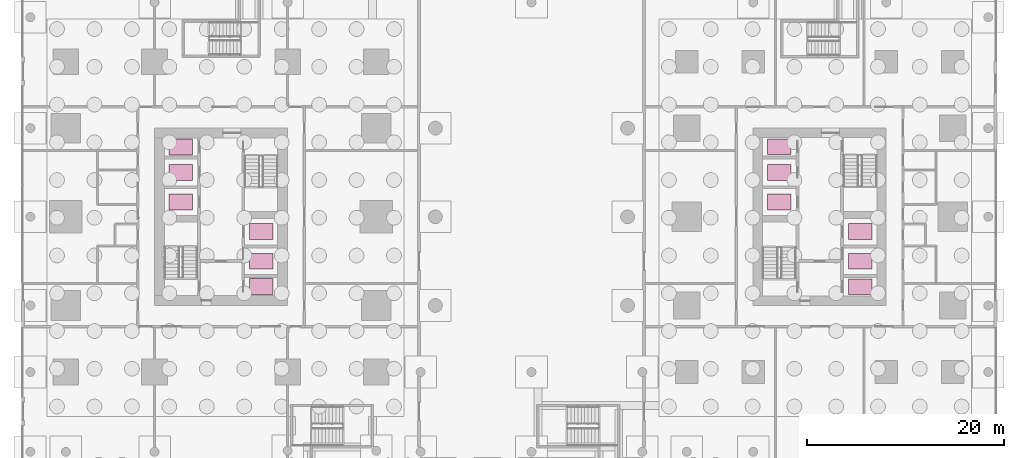
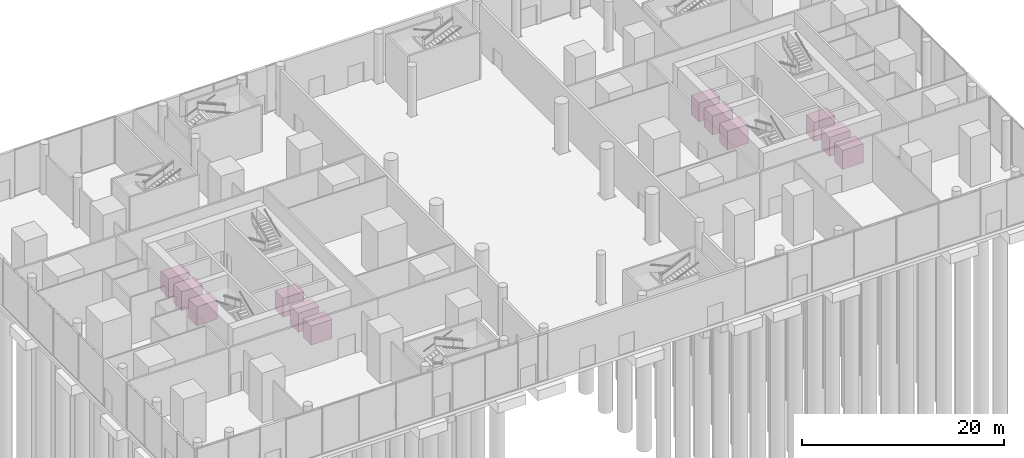
# One storey, part 31 of 31: 12 transport elements.
"""IFC4 building model written with IfcOpenShell, lengths in metres."""

from ifc_helpers import new_model, si_unit, direction, frame, origin, origin_2d, place, context, subcontext, project, spatial, rectangle, extrude, material, type_object, element, save


model = new_model("IFC4")

# Units and contexts
model_context = context("Model", 3, precision=1e-05, world=origin(), true_north=direction((0.0, 1.0)))
body_context = subcontext(model_context, "Body", "Model", "MODEL_VIEW")
ifc_project = project(units=[si_unit("LENGTHUNIT", "METRE"), si_unit("AREAUNIT", "SQUARE_METRE"), si_unit("VOLUMEUNIT", "CUBIC_METRE"), si_unit("PLANEANGLEUNIT", "RADIAN"), si_unit("MASSUNIT", "GRAM", prefix="KILO")], contexts=[model_context])

# Site, building, storey
site_placement = place(None, origin())
site = spatial("IfcSite", under=ifc_project, at=site_placement, CompositionType="ELEMENT")
building_placement = place(site_placement, origin())
building = spatial("IfcBuilding", under=site, at=building_placement, Name="Namib Vertical Campus", CompositionType="ELEMENT")
storey_placement = place(building_placement, origin())
storey = spatial("IfcBuildingStorey", under=building, at=storey_placement, Name="L00", CompositionType="ELEMENT", Elevation=0.0)

# Transport elements
ifc_material_1 = material(Name="Stainless steel lift car", Category="steel")
transport_element_type_1 = type_object("IfcTransportElementType", Name="Firefighting lift car 1600x2400", PredefinedType="ELEVATOR", material=ifc_material_1)
for number, where, z_axis, x_axis, name in (
    (1, (24.324951171875, 13.175048828125, 0.0), (0.0, 0.0, 1.0), (1.0, 0.0, 0.0), "Firefighting lift A-FL1"),
    (2, (85.10009765625, 13.14990234375, 0.0), (0.0, 0.0, 1.0), (1.0, 0.0, 0.0), "Firefighting lift B-FL1"),
):
    element("IfcTransportElement", number, at=place(storey_placement, frame(where, z_axis=z_axis, x_axis=x_axis)), inside=storey, type_object=transport_element_type_1, Name=name, PredefinedType="ELEVATOR", context=body_context, shape_type="SweptSolid", body=[
        extrude(rectangle(XDim=2.39990234375, YDim=1.60009765625, at=origin_2d()), origin(), (0.0, 0.0, 1.0), 2.300048828125),
    ])
ifc_material_2 = material(Name="Stainless steel lift car", Category="steel")
transport_element_type_2 = type_object("IfcTransportElementType", Name="Lift car 1600x2400", PredefinedType="ELEVATOR", material=ifc_material_2)
for number, where, z_axis, x_axis, name in (
    (3, (16.175048828125, 21.75, 0.0), (0.0, 0.0, 1.0), (1.0, 0.0, 0.0), "Lift A-P1"),
    (4, (16.175048828125, 24.75, 0.0), (0.0, 0.0, 1.0), (1.0, 0.0, 0.0), "Lift A-P2"),
    (5, (16.175048828125, 27.324951171875, 0.0), (0.0, 0.0, 1.0), (1.0, 0.0, 0.0), "Lift A-P3"),
    (6, (24.324951171875, 15.75, 0.0), (0.0, 0.0, 1.0), (1.0, 0.0, 0.0), "Lift A-P4"),
    (7, (24.324951171875, 18.75, 0.0), (0.0, 0.0, 1.0), (1.0, 0.0, 0.0), "Lift A-P5"),
    (8, (76.89990234375, 21.75, 0.0), (0.0, 0.0, 1.0), (1.0, 0.0, 0.0), "Lift B-P1"),
    (9, (76.89990234375, 24.75, 0.0), (0.0, 0.0, 1.0), (1.0, 0.0, 0.0), "Lift B-P2"),
    (10, (76.89990234375, 27.35009765625, 0.0), (0.0, 0.0, 1.0), (1.0, 0.0, 0.0), "Lift B-P3"),
    (11, (85.10009765625, 15.75, 0.0), (0.0, 0.0, 1.0), (1.0, 0.0, 0.0), "Lift B-P4"),
    (12, (85.10009765625, 18.75, 0.0), (0.0, 0.0, 1.0), (1.0, 0.0, 0.0), "Lift B-P5"),
):
    element("IfcTransportElement", number, at=place(storey_placement, frame(where, z_axis=z_axis, x_axis=x_axis)), inside=storey, type_object=transport_element_type_2, Name=name, PredefinedType="ELEVATOR", context=body_context, shape_type="SweptSolid", body=[
        extrude(rectangle(XDim=2.39990234375, YDim=1.60009765625, at=origin_2d()), origin(), (0.0, 0.0, 1.0), 2.300048828125),
    ])

save(model, "model.ifc")
